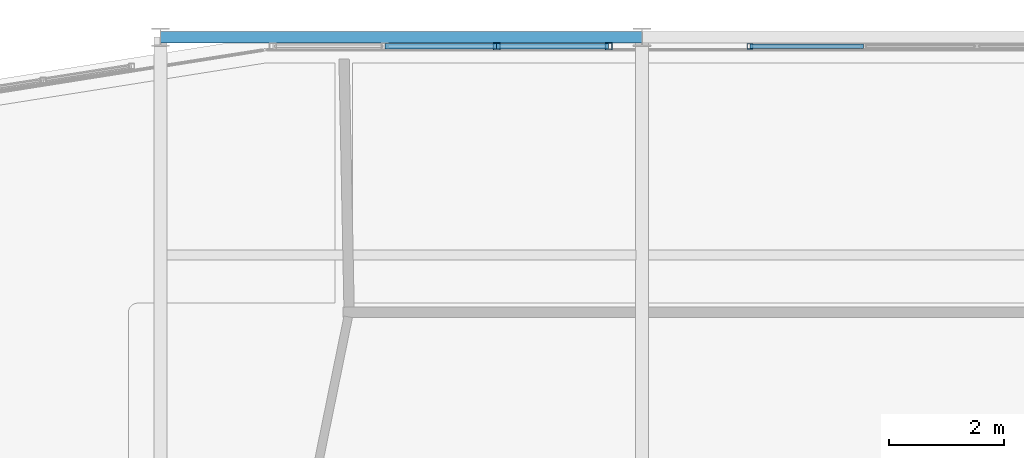
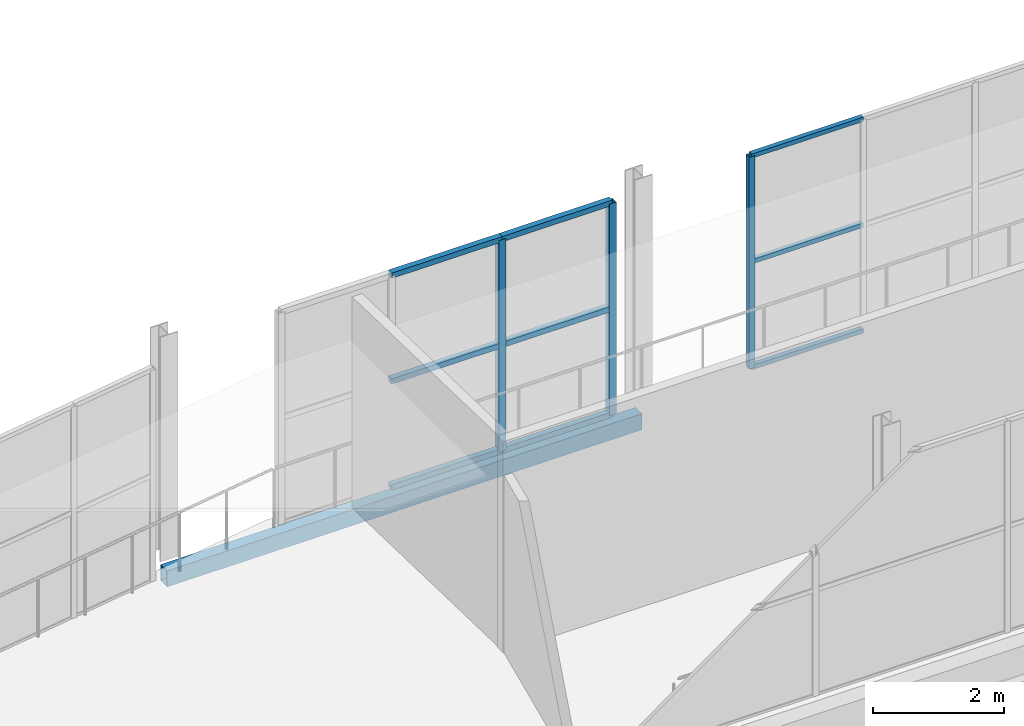
# One storey, part 59 of 151: 12 members, 1 beam, 2 elements without a shape of their own.
"""IFC4 building model written with IfcOpenShell, lengths in metres."""

from ifc_helpers import new_model, si_unit, direction, frame, origin, origin_2d, place, context, subcontext, project, spatial, hollow_rectangle, extrude, material, material_profile, profile_set, type_object, element, aggregate, save


model = new_model("IFC4")

# Units and contexts
model_context = context("Model", 3, precision=1e-05, world=origin(), true_north=direction((0.0, 1.0)))
body_context = subcontext(model_context, "Body", "Model", "MODEL_VIEW")
ifc_project = project(units=[si_unit("LENGTHUNIT", "METRE"), si_unit("AREAUNIT", "SQUARE_METRE"), si_unit("VOLUMEUNIT", "CUBIC_METRE"), si_unit("PLANEANGLEUNIT", "RADIAN"), si_unit("MASSUNIT", "GRAM", prefix="KILO")], contexts=[model_context])

# Site, building, storey
site_placement = place(None, origin())
site = spatial("IfcSite", under=ifc_project, at=site_placement, CompositionType="ELEMENT")
building_placement = place(site_placement, origin())
building = spatial("IfcBuilding", under=site, at=building_placement, Name="Zuvorla Pavilion Media Centre", CompositionType="ELEMENT")
storey_placement = place(building_placement, frame((0.0, 0.0, 13.800048828125)))
storey = spatial("IfcBuildingStorey", under=building, at=storey_placement, Name="L03", CompositionType="ELEMENT", Elevation=13.800048828125)

# Beam
ifc_material_1 = material(Name="Steel S355", Category="steel")
ifc_material_profile_1 = material_profile(ifc_material_1, hollow_rectangle(XDim=0.199951171875, YDim=0.300048828125, WallThickness=0.012451171875, at=origin_2d()), Name="RHS 300x200x12.5")
ifc_profile_set_1 = profile_set([ifc_material_profile_1], Name="Steel S355")
beam_type = type_object("IfcBeamType", Name="BM-SP-RHS300", PredefinedType="SPANDREL", material=ifc_profile_set_1)
beam_placement = place(storey_placement, frame((24.800048828125, 89.60009765625, -0.407958984375), z_axis=(1.0, 0.0, 0.0), x_axis=(0.0, 1.0, 0.0)))
element("IfcBeam", 1, at=beam_placement, inside=storey, type_object=beam_type, Name="L03 spandrel SP01 1132", PredefinedType="SPANDREL", context=body_context, shape_type="SweptSolid", body=[
    extrude(hollow_rectangle(XDim=0.199951171875, YDim=0.300048828125, WallThickness=0.012451171875, at=origin_2d()), origin(), (0.0, 0.0, 1.0), 8.39990234375),
])

# Curtain wall, member
ifc_material_2 = material(Name="Unitised anodised aluminium and solar glass curtain wall", Category="aluminium")
curtain_wall_type_1 = type_object("IfcCurtainWallType", Name="CW-SYS-67", PredefinedType="USERDEFINED", material=ifc_material_2)
curtain_wall_1_placement = place(storey_placement, origin())
curtain_wall_1 = element("IfcCurtainWall", 2, at=curtain_wall_1_placement, inside=storey, type_object=curtain_wall_type_1, Name="L03 curtain wall CW67 119", ObjectType="CURTAIN WALL", PredefinedType="USERDEFINED")
ifc_material_3 = material(Name="Anodised aluminium 6063-T6", Category="aluminium")
ifc_material_profile_2 = material_profile(ifc_material_3, hollow_rectangle(XDim=0.10009765625, YDim=0.10009765625, WallThickness=0.00439453125, at=origin_2d()), Name="ALU MULL 100x100")
ifc_profile_set_2 = profile_set([ifc_material_profile_2], Name="Anodised aluminium 6063-T6")
member_type_1 = type_object("IfcMemberType", Name="CW-MULL-100", PredefinedType="MULLION", material=ifc_profile_set_2)
member_1_placement = place(storey_placement, frame((35.0849609375, 89.43994140625, 0.0), z_axis=(0.0, 0.0, 1.0), x_axis=(1.0, 0.0, 0.0)))
member_1 = element("IfcMember", 3, at=member_1_placement, type_object=member_type_1, Name="CW67 mullion 4", PredefinedType="MULLION", context=body_context, shape_type="SweptSolid", body=[
    extrude(hollow_rectangle(XDim=0.10009765625, YDim=0.10009765625, WallThickness=0.00439453125, at=origin_2d()), origin(), (0.0, 0.0, 1.0), 3.9599609375),
])

# Curtain wall, members
curtain_wall_type_2 = type_object("IfcCurtainWallType", Name="CW-SYS-27", PredefinedType="USERDEFINED", material=ifc_material_2)
curtain_wall_2_placement = place(storey_placement, origin())
curtain_wall_2 = element("IfcCurtainWall", 4, at=curtain_wall_2_placement, inside=storey, type_object=curtain_wall_type_2, Name="L03 curtain wall CW27 120", ObjectType="CURTAIN WALL", PredefinedType="USERDEFINED")
ifc_material_profile_3 = material_profile(ifc_material_3, hollow_rectangle(XDim=0.1201171875, YDim=0.1201171875, WallThickness=0.0048828125, at=origin_2d()), Name="ALU MULL 120x120")
ifc_profile_set_3 = profile_set([ifc_material_profile_3], Name="Anodised aluminium 6063-T6")
member_type_2 = type_object("IfcMemberType", Name="CW-MULL-120", PredefinedType="MULLION", material=ifc_profile_set_3)
member_2_placement = place(storey_placement, frame((32.6181640625, 89.43994140625, 0.0), z_axis=(0.0, 0.0, 1.0), x_axis=(1.0, 0.0, 0.0)))
member_2 = element("IfcMember", 5, at=member_2_placement, type_object=member_type_2, Name="CW27 mullion 1", PredefinedType="MULLION", context=body_context, shape_type="SweptSolid", body=[
    extrude(hollow_rectangle(XDim=0.1201171875, YDim=0.1201171875, WallThickness=0.0048828125, at=origin_2d()), origin(), (0.0, 0.0, 1.0), 3.9599609375),
])
member_3_placement = place(storey_placement, frame((30.665283203125, 89.43994140625, 0.0), z_axis=(0.0, 0.0, 1.0), x_axis=(1.0, 0.0, 0.0)))
member_3 = element("IfcMember", 6, at=member_3_placement, type_object=member_type_2, Name="CW27 mullion 2", PredefinedType="MULLION", context=body_context, shape_type="SweptSolid", body=[
    extrude(hollow_rectangle(XDim=0.1201171875, YDim=0.1201171875, WallThickness=0.0048828125, at=origin_2d()), origin(), (0.0, 0.0, 1.0), 3.9599609375),
])
ifc_material_profile_4 = material_profile(ifc_material_3, hollow_rectangle(XDim=0.10009765625, YDim=0.10009765625, WallThickness=0.00439453125, at=origin_2d()), Name="ALU TRAN 100x100")
ifc_profile_set_4 = profile_set([ifc_material_profile_4], Name="Anodised aluminium 6063-T6")
member_type_3 = type_object("IfcMemberType", Name="CW-TRAN-100", PredefinedType="USERDEFINED", material=ifc_profile_set_4)
member_4_placement = place(storey_placement, frame((32.6181640625, 89.43994140625, 0.0), z_axis=(-1.0, 0.0, 0.0), x_axis=(0.0, -1.0, 0.0)))
member_4 = element("IfcMember", 7, at=member_4_placement, type_object=member_type_3, Name="CW27 transom 1.1", ObjectType="TRANSOM", PredefinedType="USERDEFINED", context=body_context, shape_type="SweptSolid", body=[
    extrude(hollow_rectangle(XDim=0.10009765625, YDim=0.10009765625, WallThickness=0.00439453125, at=origin_2d()), origin(), (0.0, 0.0, 1.0), 1.952880859375),
])
member_5_placement = place(storey_placement, frame((32.6181640625, 89.43994140625, 1.97998046875), z_axis=(-1.0, 0.0, 0.0), x_axis=(0.0, -1.0, 0.0)))
member_5 = element("IfcMember", 8, at=member_5_placement, type_object=member_type_3, Name="CW27 transom 1.2", ObjectType="TRANSOM", PredefinedType="USERDEFINED", context=body_context, shape_type="SweptSolid", body=[
    extrude(hollow_rectangle(XDim=0.10009765625, YDim=0.10009765625, WallThickness=0.00439453125, at=origin_2d()), origin(), (0.0, 0.0, 1.0), 1.952880859375),
])
member_6_placement = place(storey_placement, frame((32.6181640625, 89.43994140625, 3.9599609375), z_axis=(-1.0, 0.0, 0.0), x_axis=(0.0, -1.0, 0.0)))
member_6 = element("IfcMember", 9, at=member_6_placement, type_object=member_type_3, Name="CW27 transom 1.3", ObjectType="TRANSOM", PredefinedType="USERDEFINED", context=body_context, shape_type="SweptSolid", body=[
    extrude(hollow_rectangle(XDim=0.10009765625, YDim=0.10009765625, WallThickness=0.00439453125, at=origin_2d()), origin(), (0.0, 0.0, 1.0), 1.952880859375),
])
member_7_placement = place(storey_placement, frame((30.665283203125, 89.43994140625, 0.0), z_axis=(-1.0, 0.0, 0.0), x_axis=(0.0, -1.0, 0.0)))
member_7 = element("IfcMember", 10, at=member_7_placement, type_object=member_type_3, Name="CW27 transom 2.1", ObjectType="TRANSOM", PredefinedType="USERDEFINED", context=body_context, shape_type="SweptSolid", body=[
    extrude(hollow_rectangle(XDim=0.10009765625, YDim=0.10009765625, WallThickness=0.00439453125, at=origin_2d()), origin(), (0.0, 0.0, 1.0), 1.95263671875),
])
member_8_placement = place(storey_placement, frame((30.665283203125, 89.43994140625, 1.97998046875), z_axis=(-1.0, 0.0, 0.0), x_axis=(0.0, -1.0, 0.0)))
member_8 = element("IfcMember", 11, at=member_8_placement, type_object=member_type_3, Name="CW27 transom 2.2", ObjectType="TRANSOM", PredefinedType="USERDEFINED", context=body_context, shape_type="SweptSolid", body=[
    extrude(hollow_rectangle(XDim=0.10009765625, YDim=0.10009765625, WallThickness=0.00439453125, at=origin_2d()), origin(), (0.0, 0.0, 1.0), 1.95263671875),
])
member_9_placement = place(storey_placement, frame((30.665283203125, 89.43994140625, 3.9599609375), z_axis=(-1.0, 0.0, 0.0), x_axis=(0.0, -1.0, 0.0)))
member_9 = element("IfcMember", 12, at=member_9_placement, type_object=member_type_3, Name="CW27 transom 2.3", ObjectType="TRANSOM", PredefinedType="USERDEFINED", context=body_context, shape_type="SweptSolid", body=[
    extrude(hollow_rectangle(XDim=0.10009765625, YDim=0.10009765625, WallThickness=0.00439453125, at=origin_2d()), origin(), (0.0, 0.0, 1.0), 1.95263671875),
])
aggregate(curtain_wall_2, [member_2, member_3, member_4, member_5, member_6, member_7, member_8, member_9])

# Member
ifc_material_profile_5 = material_profile(ifc_material_3, hollow_rectangle(XDim=0.080078125, YDim=0.080078125, WallThickness=0.00390625, at=origin_2d()), Name="ALU TRAN 80x80")
ifc_profile_set_5 = profile_set([ifc_material_profile_5], Name="Anodised aluminium 6063-T6")
member_type_4 = type_object("IfcMemberType", Name="CW-TRAN-80", PredefinedType="USERDEFINED", material=ifc_profile_set_5)
member_10_placement = place(storey_placement, frame((37.062744140625, 89.43994140625, 0.0), z_axis=(-1.0, 0.0, 0.0), x_axis=(0.0, -1.0, 0.0)))
member_10 = element("IfcMember", 13, at=member_10_placement, type_object=member_type_4, Name="CW67 transom 3.1", ObjectType="TRANSOM", PredefinedType="USERDEFINED", context=body_context, shape_type="SweptSolid", body=[
    extrude(hollow_rectangle(XDim=0.080078125, YDim=0.080078125, WallThickness=0.00390625, at=origin_2d()), origin(), (0.0, 0.0, 1.0), 1.977783203125),
])

member_11_placement = place(storey_placement, frame((37.062744140625, 89.43994140625, 1.97998046875), z_axis=(-1.0, 0.0, 0.0), x_axis=(0.0, -1.0, 0.0)))
member_11 = element("IfcMember", 14, at=member_11_placement, type_object=member_type_4, Name="CW67 transom 3.2", ObjectType="TRANSOM", PredefinedType="USERDEFINED", context=body_context, shape_type="SweptSolid", body=[
    extrude(hollow_rectangle(XDim=0.080078125, YDim=0.080078125, WallThickness=0.00390625, at=origin_2d()), origin(), (0.0, 0.0, 1.0), 1.977783203125),
])

member_12_placement = place(storey_placement, frame((37.062744140625, 89.43994140625, 3.9599609375), z_axis=(-1.0, 0.0, 0.0), x_axis=(0.0, -1.0, 0.0)))
member_12 = element("IfcMember", 15, at=member_12_placement, type_object=member_type_4, Name="CW67 transom 3.3", ObjectType="TRANSOM", PredefinedType="USERDEFINED", context=body_context, shape_type="SweptSolid", body=[
    extrude(hollow_rectangle(XDim=0.080078125, YDim=0.080078125, WallThickness=0.00390625, at=origin_2d()), origin(), (0.0, 0.0, 1.0), 1.977783203125),
])

aggregate(curtain_wall_1, [member_1, member_10, member_11, member_12])

save(model, "model.ifc")
